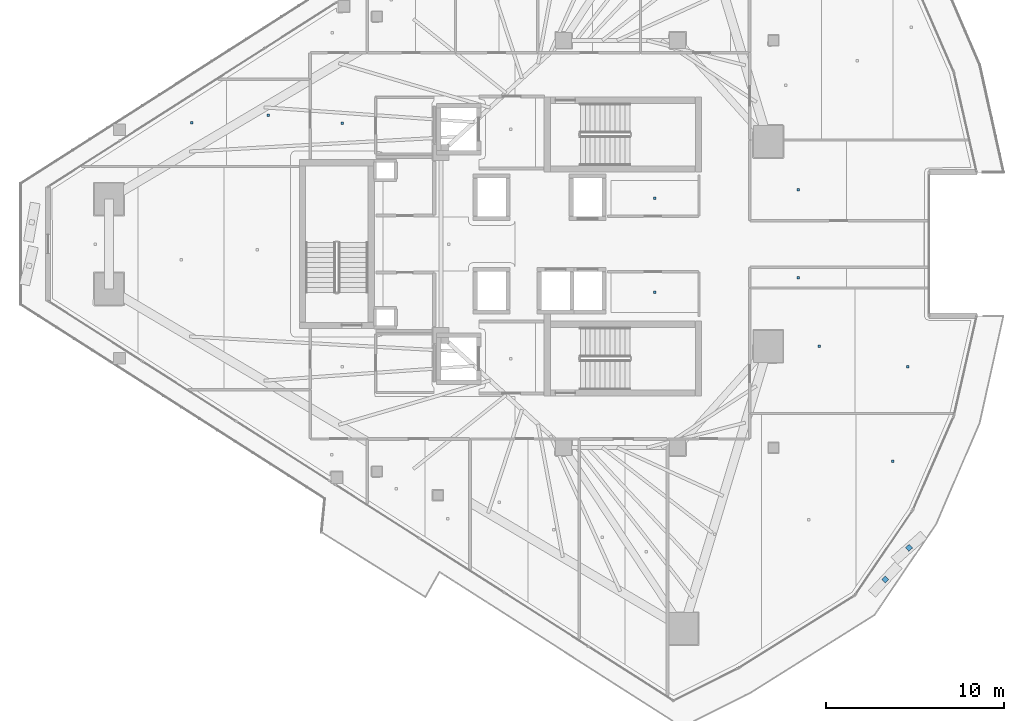
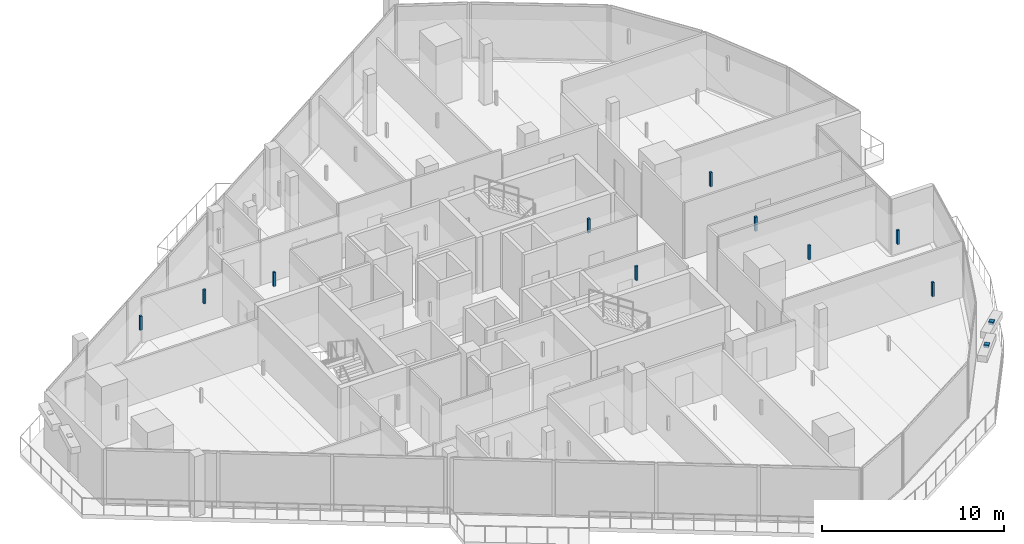
# One storey, part 28 of 36: 12 discrete accessories.
"""IFC4 building model written with IfcOpenShell, lengths in metres."""

from ifc_helpers import new_model, si_unit, direction, frame, origin, origin_2d, place, context, subcontext, project, spatial, rectangle, extrude, material, type_object, element, save


model = new_model("IFC4")

# Units and contexts
model_context = context("Model", 3, precision=1e-05, world=origin(), true_north=direction((0.0, 1.0)))
body_context = subcontext(model_context, "Body", "Model", "MODEL_VIEW")
ifc_project = project(units=[si_unit("LENGTHUNIT", "METRE"), si_unit("AREAUNIT", "SQUARE_METRE"), si_unit("VOLUMEUNIT", "CUBIC_METRE"), si_unit("PLANEANGLEUNIT", "RADIAN"), si_unit("MASSUNIT", "GRAM", prefix="KILO")], contexts=[model_context])

# Site, building, storey
site_placement = place(None, origin())
site = spatial("IfcSite", under=ifc_project, at=site_placement, CompositionType="ELEMENT")
building_placement = place(site_placement, origin())
building = spatial("IfcBuilding", under=site, at=building_placement, Name="Qorvath Tower", CompositionType="ELEMENT")
storey_placement = place(building_placement, frame((0.0, 0.0, 241.5)))
storey = spatial("IfcBuildingStorey", under=building, at=storey_placement, Name="L56", CompositionType="ELEMENT", Elevation=241.5)

# Discrete accessories
ifc_material = material(Name="Galvanised steel bracket", Category="steel")
discrete_accessory_type = type_object("IfcDiscreteAccessoryType", Name="DA-BRACKET", PredefinedType="BRACKET", material=ifc_material)
for number, where, z_axis, x_axis, name in (
    (1, (-5.5224609375, -18.86328125, 3.64013671875), (0.0, 0.0, 1.0), (0.679848430455, 0.7333526516, 0.0), "Louvre Wave Support Bracket L56-03"),
    (2, (-4.185302734375, -17.083251953125, 3.64013671875), (0.0, 0.0, 1.0), (0.748464006476, 0.663175414962, 0.0), "Louvre Wave Support Bracket L56-04"),
):
    element("IfcDiscreteAccessory", number, at=place(storey_placement, frame(where, z_axis=z_axis, x_axis=x_axis)), inside=storey, type_object=discrete_accessory_type, Name=name, PredefinedType="NOTDEFINED", context=body_context, shape_type="SweptSolid", body=[
        extrude(rectangle(XDim=0.280029296875, YDim=0.280029296875, at=origin_2d()), origin(), (0.0, 0.0, 1.0), 0.199951171875),
    ])
for number, where, z_axis, x_axis, name in (
    (3, (-18.472412109375, 2.5625, 2.85986328125), (0.0, 0.0, 1.0), (1.0, 0.0, 0.0), "Acoustic Ceiling Suspension Hanger T1-L56-003"),
    (4, (-18.472412109375, -2.70751953125, 2.85986328125), (0.0, 0.0, 1.0), (1.0, 0.0, 0.0), "Acoustic Ceiling Suspension Hanger T1-L56-004"),
    (5, (-36.040283203125, 6.782470703125, 2.85986328125), (0.0, 0.0, 1.0), (1.0, 0.0, 0.0), "Acoustic Ceiling Suspension Hanger T1-L56-010"),
    (6, (-5.1044921875, -12.201171875, 2.85986328125), (0.0, 0.0, 1.0), (1.0, 0.0, 0.0), "Acoustic Ceiling Suspension Hanger T1-L56-029"),
    (7, (-9.231689453125, -5.736572265625, 2.85986328125), (0.0, 0.0, 1.0), (1.0, 0.0, 0.0), "Acoustic Ceiling Suspension Hanger T1-L56-030"),
    (8, (-4.263427734375, -6.904052734375, 2.85986328125), (0.0, 0.0, 1.0), (1.0, 0.0, 0.0), "Acoustic Ceiling Suspension Hanger T1-L56-031"),
    (9, (-10.417724609375, 3.055419921875, 2.85986328125), (0.0, 0.0, 1.0), (1.0, 0.0, 0.0), "Acoustic Ceiling Suspension Hanger T1-L56-032"),
    (10, (-10.417724609375, -1.88525390625, 2.85986328125), (0.0, 0.0, 1.0), (1.0, 0.0, 0.0), "Acoustic Ceiling Suspension Hanger T1-L56-033"),
    (11, (-44.517822265625, 6.81591796875, 2.85986328125), (0.0, 0.0, 1.0), (1.0, 0.0, 0.0), "Acoustic Ceiling Suspension Hanger T1-L56-042"),
    (12, (-40.2060546875, 7.24951171875, 2.85986328125), (0.0, 0.0, 1.0), (1.0, 0.0, 0.0), "Acoustic Ceiling Suspension Hanger T1-L56-043"),
):
    element("IfcDiscreteAccessory", number, at=place(storey_placement, frame(where, z_axis=z_axis, x_axis=x_axis)), inside=storey, type_object=discrete_accessory_type, Name=name, PredefinedType="NOTDEFINED", context=body_context, shape_type="SweptSolid", body=[
        extrude(rectangle(XDim=0.139892578125, YDim=0.139892578125, at=origin_2d()), origin(), (0.0, 0.0, 1.0), 0.949951171875),
    ])

save(model, "model.ifc")
